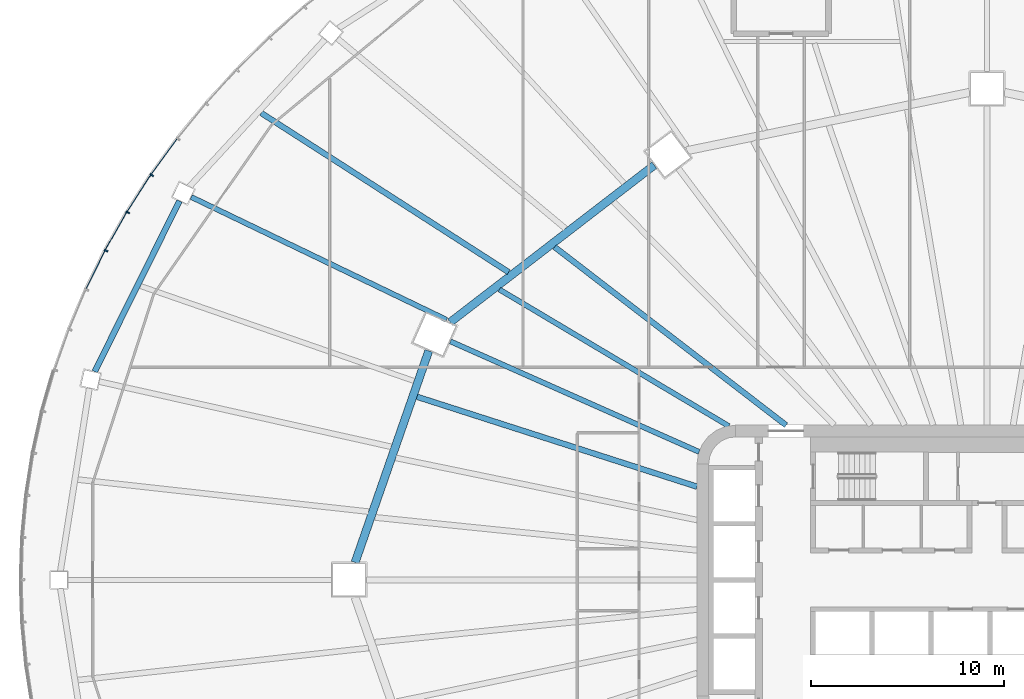
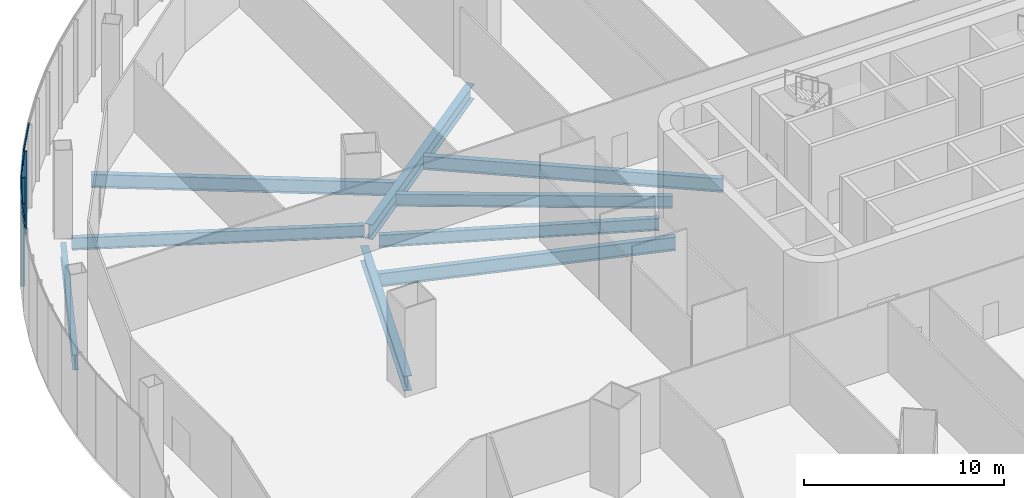
# One storey, part 7 of 42: 9 beams, 7 members, 2 elements without a shape of their own.
"""IFC4 building model written with IfcOpenShell, lengths in metres."""

from ifc_helpers import new_model, si_unit, direction, frame, origin, origin_2d, place, context, subcontext, project, spatial, rectangle, i_section, extrude, material, layer, layer_set, material_profile, profile_set, type_object, element, aggregate, save


model = new_model("IFC4")

# Units and contexts
model_context = context("Model", 3, precision=1e-05, world=origin(), true_north=direction((0.0, 1.0)))
body_context = subcontext(model_context, "Body", "Model", "MODEL_VIEW")
ifc_project = project(units=[si_unit("LENGTHUNIT", "METRE"), si_unit("AREAUNIT", "SQUARE_METRE"), si_unit("VOLUMEUNIT", "CUBIC_METRE"), si_unit("PLANEANGLEUNIT", "RADIAN"), si_unit("MASSUNIT", "GRAM", prefix="KILO")], contexts=[model_context])

# Site, building, storey
site_placement = place(None, origin())
site = spatial("IfcSite", under=ifc_project, at=site_placement, CompositionType="ELEMENT")
building_placement = place(site_placement, origin())
building = spatial("IfcBuilding", under=site, at=building_placement, Name="Sahrelin Media Tower", CompositionType="ELEMENT")
storey_placement = place(building_placement, frame((0.0, 0.0, 26.0)))
storey = spatial("IfcBuildingStorey", under=building, at=storey_placement, Name="L03", CompositionType="ELEMENT", Elevation=26.0)

# Curtain wall, members
ifc_material_1 = material(Name="Champagne anodised aluminium 6063-T6", Category="aluminium")
ifc_layer = layer(ifc_material_1, 0.14990234375)
ifc_layer_set = layer_set([ifc_layer], Name="Podium ribbon curtain wall")
curtain_wall_type = type_object("IfcCurtainWallType", Name="Podium ribbon curtain wall", PredefinedType="NOTDEFINED", material=ifc_layer_set)
curtain_wall_1_placement = place(storey_placement, frame((-43.30126953125, 21.0, 0.0), z_axis=(0.0, 0.0, 1.0), x_axis=(1.0, 0.0, 0.0)))
curtain_wall_1 = element("IfcCurtainWall", 1, at=curtain_wall_1_placement, inside=storey, type_object=curtain_wall_type, Name="L03:CW:L03-P10", PredefinedType="NOTDEFINED")
ifc_material_profile_1 = material_profile(ifc_material_1, rectangle(XDim=0.080078125, YDim=0.199951171875, at=origin_2d()), Name="Mullion 80x200")
ifc_profile_set_1 = profile_set([ifc_material_profile_1], Name="Champagne anodised aluminium 6063-T6")
member_type_1 = type_object("IfcMemberType", Name="Mullion 80x200 CW5", PredefinedType="MULLION", material=ifc_profile_set_1)
member_1_placement = place(storey_placement, frame((-43.200439453125, 20.934814453125, 0.0), z_axis=(0.0, 0.0, 1.0), x_axis=(-0.542830032192, -0.839842578196, 0.0)))
member_1 = element("IfcMember", 2, at=member_1_placement, type_object=member_type_1, Name="L03:CWM1:L03-P10", PredefinedType="MULLION", context=body_context, shape_type="SweptSolid", body=[
    extrude(rectangle(XDim=0.080078125, YDim=0.199951171875, at=origin_2d()), origin(), (0.0, 0.0, 1.0), 5.050048828125),
])
member_2_placement = place(storey_placement, frame((-44.446044921875, 19.00830078125, 0.0), z_axis=(0.0, 0.0, 1.0), x_axis=(-0.493787068155, -0.869582849028, 0.0)))
member_2 = element("IfcMember", 3, at=member_2_placement, type_object=member_type_1, Name="L03:CWM2:L03-P10", PredefinedType="MULLION", context=body_context, shape_type="SweptSolid", body=[
    extrude(rectangle(XDim=0.080078125, YDim=0.199951171875, at=origin_2d()), origin(), (0.0, 0.0, 1.0), 5.050048828125),
])
member_3_placement = place(storey_placement, frame((-45.569580078125, 17.02978515625, 0.0), z_axis=(0.0, 0.0, 1.0), x_axis=(-0.442262079274, -0.896885864108, 0.0)))
member_3 = element("IfcMember", 4, at=member_3_placement, type_object=member_type_1, Name="L03:CWM3:L03-P10", PredefinedType="MULLION", context=body_context, shape_type="SweptSolid", body=[
    extrude(rectangle(XDim=0.080078125, YDim=0.199951171875, at=origin_2d()), origin(), (0.0, 0.0, 1.0), 5.050048828125),
])

# Beams
ifc_material_2 = material(Name="Steel S355", Category="steel")
ifc_material_profile_2 = material_profile(ifc_material_2, i_section(OverallWidth=0.30322265625, OverallDepth=0.903076171875, WebThickness=0.01513671875, FlangeThickness=0.020263671875, FilletRadius=0.01904296875, at=origin_2d()), Name="UB 914x305x201")
ifc_profile_set_2 = profile_set([ifc_material_profile_2], Name="Steel S355")
beam_type_1 = type_object("IfcBeamType", Name="Podium edge girder PE11", PredefinedType="BEAM", material=ifc_profile_set_2)
beam_1_placement = place(storey_placement, frame((-41.76953125, 19.596923828125, -0.651611328125), z_axis=(-0.445112588569, -0.895474613541, 0.0), x_axis=(0.895474613541, -0.445112588569, 0.0)))
element("IfcBeam", 5, at=beam_1_placement, inside=storey, type_object=beam_type_1, Name="Podium edge girder L03-11", PredefinedType="BEAM", context=body_context, shape_type="SweptSolid", body=[
    extrude(i_section(OverallWidth=0.30322265625, OverallDepth=0.903076171875, WebThickness=0.01513671875, FlangeThickness=0.020263671875, FilletRadius=0.01904296875, at=origin_2d()), origin(), (0.0, 0.0, 1.0), 9.859619140625),
])
ifc_material_profile_3 = material_profile(ifc_material_2, i_section(OverallWidth=0.41845703125, OverallDepth=0.911865234375, WebThickness=0.019287109375, FlangeThickness=0.031982421875, FilletRadius=0.024169921875, at=origin_2d()), Name="UB 914x419x343")
ifc_profile_set_3 = profile_set([ifc_material_profile_3], Name="Steel S355")
beam_type_2 = type_object("IfcBeamType", Name="Podium ring girder PG12", PredefinedType="BEAM", material=ifc_profile_set_3)
beam_2_placement = place(storey_placement, frame((-17.21337890625, 21.447998046875, -0.656005859375), z_axis=(-0.792445416108, -0.609942835428, 0.0), x_axis=(0.609942835428, -0.792445416108, 0.0)))
element("IfcBeam", 6, at=beam_2_placement, inside=storey, type_object=beam_type_2, Name="Podium girder L03-05", PredefinedType="BEAM", context=body_context, shape_type="SweptSolid", body=[
    extrude(i_section(OverallWidth=0.41845703125, OverallDepth=0.911865234375, WebThickness=0.019287109375, FlangeThickness=0.031982421875, FilletRadius=0.024169921875, at=origin_2d()), origin(), (0.0, 0.0, 1.0), 13.318603515625),
])
beam_3_placement = place(storey_placement, frame((-28.875732421875, 11.84716796875, -0.656005859375), z_axis=(-0.328773851324, -0.944408679908, 0.0), x_axis=(0.944408679908, -0.328773851324, 0.0)))
element("IfcBeam", 7, at=beam_3_placement, inside=storey, type_object=beam_type_2, Name="Podium girder L03-06", PredefinedType="BEAM", context=body_context, shape_type="SweptSolid", body=[
    extrude(i_section(OverallWidth=0.41845703125, OverallDepth=0.911865234375, WebThickness=0.019287109375, FlangeThickness=0.031982421875, FilletRadius=0.024169921875, at=origin_2d()), origin(), (0.0, 0.0, 1.0), 11.591552734375),
])
ifc_material_profile_4 = material_profile(ifc_material_2, i_section(OverallWidth=0.291748046875, OverallDepth=0.8349609375, WebThickness=0.013916015625, FlangeThickness=0.018798828125, FilletRadius=0.017822265625, at=origin_2d()), Name="UB 838x292x176")
ifc_profile_set_4 = profile_set([ifc_material_profile_4], Name="Steel S355")
beam_type_3 = type_object("IfcBeamType", Name="Radial primary beam PB10", PredefinedType="BEAM", material=ifc_profile_set_4)
beam_4_placement = place(storey_placement, frame((-10.393798828125, 8.0, -0.617431640625), z_axis=(-0.79244196099, 0.609947324335, 0.0), x_axis=(-0.609947324335, -0.79244196099, 0.0)))
element("IfcBeam", 8, at=beam_4_placement, inside=storey, type_object=beam_type_3, Name="Radial beam L03-10", PredefinedType="BEAM", context=body_context, shape_type="SweptSolid", body=[
    extrude(i_section(OverallWidth=0.291748046875, OverallDepth=0.8349609375, WebThickness=0.013916015625, FlangeThickness=0.018798828125, FilletRadius=0.017822265625, at=origin_2d()), origin(), (0.0, 0.0, 1.0), 15.1103515625),
])
ifc_material_profile_5 = material_profile(ifc_material_2, i_section(OverallWidth=0.26513671875, OverallDepth=0.75390625, WebThickness=0.0126953125, FlangeThickness=0.017578125, FilletRadius=0.0166015625, at=origin_2d()), Name="UB 762x267x147")
ifc_profile_set_5 = profile_set([ifc_material_profile_5], Name="Steel S355")
beam_type_4 = type_object("IfcBeamType", Name="Radial primary beam PB9", PredefinedType="BEAM", material=ifc_profile_set_5)
beam_5_placement = place(storey_placement, frame((-14.890625, 6.6171875, -0.576904296875), z_axis=(-0.913833000058, 0.406090196883, 0.0), x_axis=(-0.406090196883, -0.913833000058, 0.0)))
element("IfcBeam", 9, at=beam_5_placement, inside=storey, type_object=beam_type_4, Name="Radial beam L03-11", PredefinedType="BEAM", context=body_context, shape_type="SweptSolid", body=[
    extrude(i_section(OverallWidth=0.26513671875, OverallDepth=0.75390625, WebThickness=0.0126953125, FlangeThickness=0.017578125, FilletRadius=0.0166015625, at=origin_2d()), origin(), (0.0, 0.0, 1.0), 14.078857421875),
])
beam_6_placement = place(storey_placement, frame((-27.950439453125, 13.44775390625, -0.576904296875), z_axis=(-0.901130102072, 0.433548773657, 0.0), x_axis=(-0.433548773657, -0.901130102072, 0.0)))
element("IfcBeam", 10, at=beam_6_placement, inside=storey, type_object=beam_type_4, Name="Radial beam L03-13", PredefinedType="BEAM", context=body_context, shape_type="SweptSolid", body=[
    extrude(i_section(OverallWidth=0.26513671875, OverallDepth=0.75390625, WebThickness=0.0126953125, FlangeThickness=0.017578125, FilletRadius=0.0166015625, at=origin_2d()), origin(), (0.0, 0.0, 1.0), 14.6630859375),
])
ifc_material_profile_6 = material_profile(ifc_material_2, i_section(OverallWidth=0.291748046875, OverallDepth=0.8349609375, WebThickness=0.013916015625, FlangeThickness=0.018798828125, FilletRadius=0.017822265625, at=origin_2d()), Name="UB 838x292x176")
ifc_profile_set_6 = profile_set([ifc_material_profile_6], Name="Steel S355")
beam_type_5 = type_object("IfcBeamType", Name="Radial secondary beam SB10", PredefinedType="BEAM", material=ifc_profile_set_6)
beam_7_placement = place(storey_placement, frame((-15.0, 4.81787109375, -0.617431640625), z_axis=(-0.952096340592, 0.305798231244, 0.0), x_axis=(-0.305798231244, -0.952096340592, 0.0)))
element("IfcBeam", 11, at=beam_7_placement, inside=storey, type_object=beam_type_5, Name="Secondary beam L03-11", PredefinedType="BEAM", context=body_context, shape_type="SweptSolid", body=[
    extrude(i_section(OverallWidth=0.291748046875, OverallDepth=0.8349609375, WebThickness=0.013916015625, FlangeThickness=0.018798828125, FilletRadius=0.017822265625, at=origin_2d()), origin(), (0.0, 0.0, 1.0), 15.210693359375),
])
beam_8_placement = place(storey_placement, frame((-24.744140625, 15.91552734375, -0.617431640625), z_axis=(-0.84104292767, 0.540968385228, 0.0), x_axis=(-0.540968385228, -0.84104292767, 0.0)))
element("IfcBeam", 12, at=beam_8_placement, inside=storey, type_object=beam_type_5, Name="Secondary beam L03-10", PredefinedType="BEAM", context=body_context, shape_type="SweptSolid", body=[
    extrude(i_section(OverallWidth=0.291748046875, OverallDepth=0.8349609375, WebThickness=0.013916015625, FlangeThickness=0.018798828125, FilletRadius=0.017822265625, at=origin_2d()), origin(), (0.0, 0.0, 1.0), 15.218505859375),
])
ifc_material_profile_7 = material_profile(ifc_material_2, i_section(OverallWidth=0.26513671875, OverallDepth=0.75390625, WebThickness=0.0126953125, FlangeThickness=0.017578125, FilletRadius=0.0166015625, at=origin_2d()), Name="UB 762x267x147")
ifc_profile_set_7 = profile_set([ifc_material_profile_7], Name="Steel S355")
beam_type_6 = type_object("IfcBeamType", Name="Radial secondary beam SB9", PredefinedType="BEAM", material=ifc_profile_set_7)
beam_9_placement = place(storey_placement, frame((-13.356201171875, 7.953125, -0.576904296875), z_axis=(-0.859199265621, 0.511641106594, 0.0), x_axis=(-0.511641106594, -0.859199265621, 0.0)))
element("IfcBeam", 13, at=beam_9_placement, inside=storey, type_object=beam_type_6, Name="Secondary beam L03-10", PredefinedType="BEAM", context=body_context, shape_type="SweptSolid", body=[
    extrude(i_section(OverallWidth=0.26513671875, OverallDepth=0.75390625, WebThickness=0.0126953125, FlangeThickness=0.017578125, FilletRadius=0.0166015625, at=origin_2d()), origin(), (0.0, 0.0, 1.0), 13.810791015625),
])

# Curtain wall, member
curtain_wall_2_placement = place(storey_placement, frame((-35.355224609375, 29.698486328125, 0.0), z_axis=(0.0, 0.0, 1.0), x_axis=(1.0, 0.0, 0.0)))
curtain_wall_2 = element("IfcCurtainWall", 14, at=curtain_wall_2_placement, inside=storey, type_object=curtain_wall_type, Name="L03:CW:L03-P09", PredefinedType="NOTDEFINED")
ifc_material_profile_8 = material_profile(ifc_material_1, rectangle(XDim=0.06005859375, YDim=0.14990234375, at=origin_2d()), Name="Transom 60x150")
ifc_profile_set_8 = profile_set([ifc_material_profile_8], Name="Champagne anodised aluminium 6063-T6")
member_type_2 = type_object("IfcMemberType", Name="Transom 60x150 CW5", PredefinedType="USERDEFINED", material=ifc_profile_set_8)
member_4_placement = place(storey_placement, frame((-41.922607421875, 22.804931640625, 5.125), z_axis=(-0.589385639376, -0.807851823107, 0.0), x_axis=(0.807851823107, -0.589385639376, 0.0)))
member_4 = element("IfcMember", 15, at=member_4_placement, type_object=member_type_2, Name="L03:CWT5a:L03-P09", ObjectType="TRANSOM", PredefinedType="USERDEFINED", context=body_context, shape_type="SweptSolid", body=[
    extrude(rectangle(XDim=0.06005859375, YDim=0.14990234375, at=origin_2d()), origin(), (0.0, 0.0, 1.0), 2.270751953125),
])
aggregate(curtain_wall_2, [member_4])

# Member
member_5_placement = place(storey_placement, frame((-43.286376953125, 20.930908203125, 5.125), z_axis=(-0.542855461476, -0.8398261415, 0.0), x_axis=(0.8398261415, -0.542855461476, 0.0)))
member_5 = element("IfcMember", 16, at=member_5_placement, type_object=member_type_2, Name="L03:CWT1a:L03-P10", ObjectType="TRANSOM", PredefinedType="USERDEFINED", context=body_context, shape_type="SweptSolid", body=[
    extrude(rectangle(XDim=0.06005859375, YDim=0.14990234375, at=origin_2d()), origin(), (0.0, 0.0, 1.0), 2.2509765625),
])

member_6_placement = place(storey_placement, frame((-44.531494140625, 18.99951171875, 5.125), z_axis=(-0.49374634774, -0.869605970594, 0.0), x_axis=(0.869605970594, -0.49374634774, 0.0)))
member_6 = element("IfcMember", 17, at=member_6_placement, type_object=member_type_2, Name="L03:CWT2a:L03-P10", ObjectType="TRANSOM", PredefinedType="USERDEFINED", context=body_context, shape_type="SweptSolid", body=[
    extrude(rectangle(XDim=0.06005859375, YDim=0.14990234375, at=origin_2d()), origin(), (0.0, 0.0, 1.0), 2.232421875),
])

member_7_placement = place(storey_placement, frame((-45.654541015625, 17.015869140625, 5.125), z_axis=(-0.442313130509, -0.896860688501, 0.0), x_axis=(0.896860688501, -0.442313130509, 0.0)))
member_7 = element("IfcMember", 18, at=member_7_placement, type_object=member_type_2, Name="L03:CWT3a:L03-P10", ObjectType="TRANSOM", PredefinedType="USERDEFINED", context=body_context, shape_type="SweptSolid", body=[
    extrude(rectangle(XDim=0.06005859375, YDim=0.14990234375, at=origin_2d()), origin(), (0.0, 0.0, 1.0), 2.215087890625),
])

aggregate(curtain_wall_1, [member_1, member_5, member_2, member_6, member_3, member_7])

save(model, "model.ifc")
